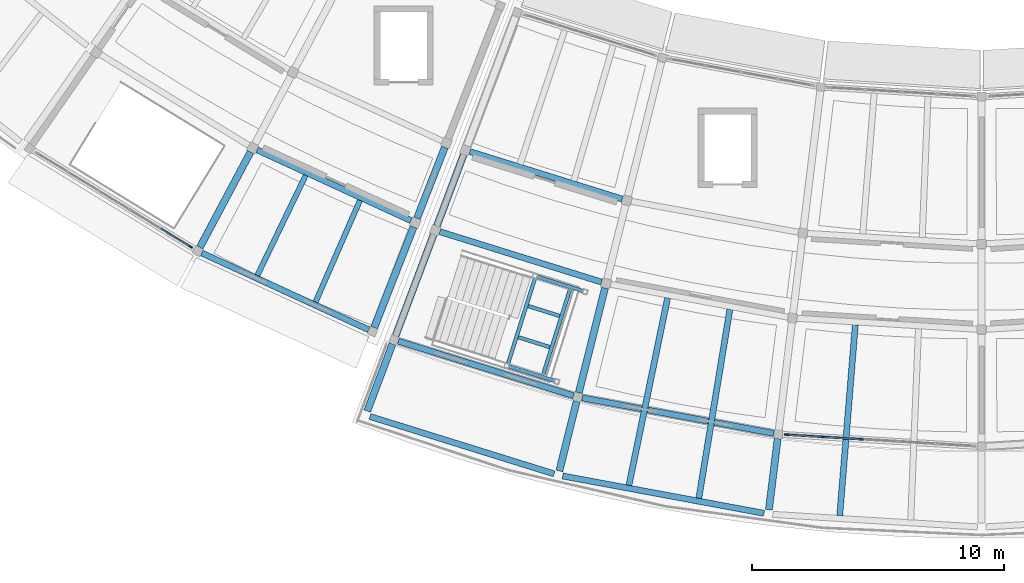
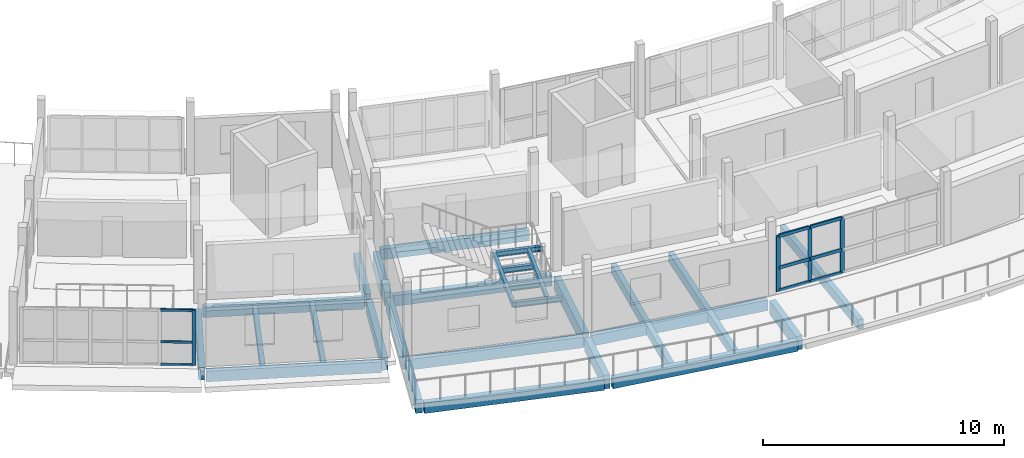
# One storey, part 7 of 24: 28 beams, 13 members, 2 elements without a shape of their own.
"""IFC4 building model written with IfcOpenShell, lengths in metres."""

from ifc_helpers import new_model, si_unit, direction, frame, origin, origin_2d, place, context, subcontext, project, spatial, rectangle, i_section, extrude, material, layer, layer_set, material_profile, profile_set, type_object, element, aggregate, save


model = new_model("IFC4")

# Units and contexts
model_context = context("Model", 3, precision=1e-05, world=origin(), true_north=direction((0.0, 1.0)))
body_context = subcontext(model_context, "Body", "Model", "MODEL_VIEW")
ifc_project = project(units=[si_unit("LENGTHUNIT", "METRE"), si_unit("AREAUNIT", "SQUARE_METRE"), si_unit("VOLUMEUNIT", "CUBIC_METRE"), si_unit("PLANEANGLEUNIT", "RADIAN"), si_unit("MASSUNIT", "GRAM", prefix="KILO")], contexts=[model_context])

# Site, building, storey
site_placement = place(None, origin())
site = spatial("IfcSite", under=ifc_project, at=site_placement, CompositionType="ELEMENT")
building_placement = place(site_placement, origin())
building = spatial("IfcBuilding", under=site, at=building_placement, Name="Caldaven Crescent School", CompositionType="ELEMENT")
storey_placement = place(building_placement, frame((0.0, 0.0, 15.639892578125)))
storey = spatial("IfcBuildingStorey", under=building, at=storey_placement, Name="L04", CompositionType="ELEMENT", Elevation=15.639892578125)

# Beams
ifc_material_1 = material(Name="Glulam MLE24h (GL28h)", Category="wood")
ifc_material_profile_1 = material_profile(ifc_material_1, rectangle(XDim=0.239990234375, YDim=0.5400390625, at=origin_2d()), Name="MLE 240x540")
ifc_profile_set_1 = profile_set([ifc_material_profile_1], Name="Glulam MLE24h (GL28h)")
beam_type_1 = type_object("IfcBeamType", Name="BM-GL54", PredefinedType="BEAM", material=ifc_profile_set_1)
beam_1_placement = place(storey_placement, frame((59.206298828125, 41.442626953125, -0.5), z_axis=(0.908536178151, -0.417806190703, 0.0), x_axis=(0.417806190703, 0.908536178151, 0.0)))
element("IfcBeam", 1, at=beam_1_placement, inside=storey, type_object=beam_type_1, Name="BMT-V4W-L04-1547", PredefinedType="BEAM", context=body_context, shape_type="SweptSolid", body=[
    extrude(rectangle(XDim=0.239990234375, YDim=0.5400390625, at=origin_2d()), origin(), (0.0, 0.0, 1.0), 6.729248046875),
])
beam_2_placement = place(storey_placement, frame((67.663818359375, 41.373291015625, -0.5), z_axis=(0.954742820955, -0.297432590405, 0.0), x_axis=(0.297432590405, 0.954742820955, 0.0)))
element("IfcBeam", 2, at=beam_2_placement, inside=storey, type_object=beam_type_1, Name="BMT-V5-L04-1580", PredefinedType="BEAM", context=body_context, shape_type="SweptSolid", body=[
    extrude(rectangle(XDim=0.239990234375, YDim=0.5400390625, at=origin_2d()), origin(), (0.0, 0.0, 1.0), 6.337646484375),
])
beam_3_placement = place(storey_placement, frame((66.46728515625, 38.190673828125, -0.5), z_axis=(0.954745566142, -0.297423778357, 0.0), x_axis=(0.297423778357, 0.954745566142, 0.0)))
element("IfcBeam", 3, at=beam_3_placement, inside=storey, type_object=beam_type_1, Name="BMT-V5-L04-1581", PredefinedType="BEAM", context=body_context, shape_type="SweptSolid", body=[
    extrude(rectangle(XDim=0.239990234375, YDim=0.5400390625, at=origin_2d()), origin(), (0.0, 0.0, 1.0), 6.729248046875),
])
beam_4_placement = place(storey_placement, frame((64.81640625, 33.842529296875, -0.5), z_axis=(0.954749339724, -0.297411664696, 0.0), x_axis=(0.297411664696, 0.954749339724, 0.0)))
element("IfcBeam", 4, at=beam_4_placement, inside=storey, type_object=beam_type_1, Name="BMT-V5-L04-1582", PredefinedType="BEAM", context=body_context, shape_type="SweptSolid", body=[
    extrude(rectangle(XDim=0.239990234375, YDim=0.5400390625, at=origin_2d()), origin(), (0.0, 0.0, 1.0), 7.295166015625),
])
beam_5_placement = place(storey_placement, frame((72.12060546875, 31.5888671875, -0.5), z_axis=(0.983259021491, -0.182213327332, 0.0), x_axis=(0.182213327332, 0.983259021491, 0.0)))
element("IfcBeam", 5, at=beam_5_placement, inside=storey, type_object=beam_type_1, Name="BMT-V5-L04-1589", PredefinedType="BEAM", context=body_context, shape_type="SweptSolid", body=[
    extrude(rectangle(XDim=0.239990234375, YDim=0.5400390625, at=origin_2d()), origin(), (0.0, 0.0, 1.0), 7.751220703125),
])
ifc_material_profile_2 = material_profile(ifc_material_1, rectangle(XDim=0.280029296875, YDim=0.6298828125, at=origin_2d()), Name="MLE 280x630")
ifc_profile_set_2 = profile_set([ifc_material_profile_2], Name="Glulam MLE24h (GL28h)")
beam_type_2 = type_object("IfcBeamType", Name="BM-GL63", PredefinedType="BEAM", material=ifc_profile_set_2)
beam_6_placement = place(storey_placement, frame((58.9443359375, 41.3544921875, -0.544921875), z_axis=(-0.469475957357, -0.88294525621, 0.0), x_axis=(0.88294525621, -0.469475957357, 0.0)))
element("IfcBeam", 6, at=beam_6_placement, inside=storey, type_object=beam_type_2, Name="BMR-V4W-L04-1527", PredefinedType="BEAM", context=body_context, shape_type="SweptSolid", body=[
    extrude(rectangle(XDim=0.280029296875, YDim=0.6298828125, at=origin_2d()), origin(), (0.0, 0.0, 1.0), 4.284912109375),
])
beam_7_placement = place(storey_placement, frame((66.66357421875, 41.54052734375, -0.544921875), z_axis=(-0.364746799564, -0.931106745872, 0.0), x_axis=(0.931106745872, -0.364746799564, 0.0)))
element("IfcBeam", 7, at=beam_7_placement, inside=storey, type_object=beam_type_2, Name="BMR-V4W-L04-1529", PredefinedType="BEAM", context=body_context, shape_type="SweptSolid", body=[
    extrude(rectangle(XDim=0.280029296875, YDim=0.6298828125, at=origin_2d()), origin(), (0.0, 0.0, 1.0), 3.02001953125),
])
beam_8_placement = place(storey_placement, frame((65.42333984375, 38.374755859375, -0.544921875), z_axis=(-0.364809625149, -0.931082132467, 0.0), x_axis=(0.931082132467, -0.364809625149, 0.0)))
element("IfcBeam", 8, at=beam_8_placement, inside=storey, type_object=beam_type_2, Name="BMR-V4W-L04-1530", PredefinedType="BEAM", context=body_context, shape_type="SweptSolid", body=[
    extrude(rectangle(XDim=0.280029296875, YDim=0.6298828125, at=origin_2d()), origin(), (0.0, 0.0, 1.0), 4.28515625),
])
ifc_material_profile_3 = material_profile(ifc_material_1, rectangle(XDim=0.280029296875, YDim=0.68994140625, at=origin_2d()), Name="MLE 280x690")
ifc_profile_set_3 = profile_set([ifc_material_profile_3], Name="Glulam MLE24h (GL28h)")
beam_type_3 = type_object("IfcBeamType", Name="BM-GL69", PredefinedType="BEAM", material=ifc_profile_set_3)
beam_9_placement = place(storey_placement, frame((67.41552734375, 41.251953125, -0.574951171875), z_axis=(-0.351894065748, -0.93603983168, 0.0), x_axis=(0.93603983168, -0.351894065748, 0.0)))
element("IfcBeam", 9, at=beam_9_placement, inside=storey, type_object=beam_type_3, Name="BMR-V5-L04-1552", PredefinedType="BEAM", context=body_context, shape_type="SweptSolid", body=[
    extrude(rectangle(XDim=0.280029296875, YDim=0.68994140625, at=origin_2d()), origin(), (0.0, 0.0, 1.0), 3.02001953125),
])
beam_10_placement = place(storey_placement, frame((66.218994140625, 38.0693359375, -0.574951171875), z_axis=(-0.351947522174, -0.936019733572, 0.0), x_axis=(0.936019733572, -0.351947522174, 0.0)))
element("IfcBeam", 10, at=beam_10_placement, inside=storey, type_object=beam_type_3, Name="BMR-V5-L04-1553", PredefinedType="BEAM", context=body_context, shape_type="SweptSolid", body=[
    extrude(rectangle(XDim=0.280029296875, YDim=0.68994140625, at=origin_2d()), origin(), (0.0, 0.0, 1.0), 4.284912109375),
])
beam_11_placement = place(storey_placement, frame((64.587646484375, 33.73095703125, -0.574951171875), z_axis=(-0.351902498826, -0.936036661312, 0.0), x_axis=(0.936036661312, -0.351902498826, 0.0)))
element("IfcBeam", 11, at=beam_11_placement, inside=storey, type_object=beam_type_3, Name="BMR-V5-L04-1554", PredefinedType="BEAM", context=body_context, shape_type="SweptSolid", body=[
    extrude(rectangle(XDim=0.280029296875, YDim=0.68994140625, at=origin_2d()), origin(), (0.0, 0.0, 1.0), 2.85009765625),
])
beam_12_placement = place(storey_placement, frame((73.02734375, 35.948486328125, -0.574951171875), z_axis=(-0.24191889768, -0.970296473736, 0.0), x_axis=(0.970296473736, -0.24191889768, 0.0)))
element("IfcBeam", 12, at=beam_12_placement, inside=storey, type_object=beam_type_3, Name="BMR-V5-L04-1557", PredefinedType="BEAM", context=body_context, shape_type="SweptSolid", body=[
    extrude(rectangle(XDim=0.280029296875, YDim=0.68994140625, at=origin_2d()), origin(), (0.0, 0.0, 1.0), 4.284912109375),
])
for number, where, z_axis, x_axis, name in (
    (13, (71.90625, 31.451171875, -0.574951171875), (-0.241991389687, -0.97027839681, 0.0), (0.97027839681, -0.241991389687, 0.0), "BMR-V5-L04-1558"),
    (14, (79.892578125, 29.970947265625, -0.574951171875), (-0.121809873861, -0.992553451775, 0.0), (0.992553451775, -0.121809873861, 0.0), "BMR-V5-L04-1562"),
):
    element("IfcBeam", number, at=place(storey_placement, frame(where, z_axis=z_axis, x_axis=x_axis)), inside=storey, type_object=beam_type_3, Name=name, PredefinedType="BEAM", context=body_context, shape_type="SweptSolid", body=[
        extrude(rectangle(XDim=0.280029296875, YDim=0.68994140625, at=origin_2d()), origin(), (0.0, 0.0, 1.0), 2.85009765625),
    ])
ifc_material_2 = material(Name="Steel ASTM A572 Grade 50", Category="steel")
ifc_material_profile_4 = material_profile(ifc_material_2, i_section(OverallWidth=0.14599609375, OverallDepth=0.258056640625, WebThickness=0.006103515625, FlangeThickness=0.009033203125, FilletRadius=0.011962890625, at=origin_2d()), Name="W250x33")
ifc_profile_set_4 = profile_set([ifc_material_profile_4], Name="Steel ASTM A572 Grade 50")
beam_type_4 = type_object("IfcBeamType", Name="BM-W25", PredefinedType="BEAM", material=ifc_profile_set_4)
beam_13_placement = place(storey_placement, frame((69.12109375, 32.864990234375, 1.546142578125), z_axis=(0.95369733951, -0.300767991334, 0.0), x_axis=(0.300767991334, 0.95369733951, 0.0)))
element("IfcBeam", 15, at=beam_13_placement, inside=storey, type_object=beam_type_4, Name="BM-STSIDE-ST2-L04-SL", PredefinedType="BEAM", context=body_context, shape_type="SweptSolid", body=[
    extrude(i_section(OverallWidth=0.14599609375, OverallDepth=0.258056640625, WebThickness=0.006103515625, FlangeThickness=0.009033203125, FilletRadius=0.011962890625, at=origin_2d()), origin(), (0.0, 0.0, 1.0), 2.090087890625),
])
beam_14_placement = place(storey_placement, frame((70.245849609375, 36.431884765625, 1.546142578125), z_axis=(0.953686771574, -0.300801498874, 0.0), x_axis=(0.300801498874, 0.953686771574, 0.0)))
element("IfcBeam", 16, at=beam_14_placement, inside=storey, type_object=beam_type_4, Name="BM-STSIDE-ST2-L04-SR", PredefinedType="BEAM", context=body_context, shape_type="SweptSolid", body=[
    extrude(i_section(OverallWidth=0.14599609375, OverallDepth=0.258056640625, WebThickness=0.006103515625, FlangeThickness=0.009033203125, FilletRadius=0.011962890625, at=origin_2d()), origin(), (0.0, 0.0, 1.0), 2.08984375),
])
for number, where, z_axis, x_axis, name in (
    (17, (69.149658203125, 32.85595703125, 1.546142578125), (0.300734578137, 0.953707876403, 0.0), (-0.953707876403, 0.300734578137, 0.0), "BM-STLND-ST2-L04-IN"),
    (18, (70.542236328125, 32.416748046875, 1.546142578125), (0.300675202446, 0.953726597424, 0.0), (-0.953726597424, 0.300675202446, 0.0), "BM-STLND-ST2-L04-OUT"),
):
    element("IfcBeam", number, at=place(storey_placement, frame(where, z_axis=z_axis, x_axis=x_axis)), inside=storey, type_object=beam_type_4, Name=name, PredefinedType="BEAM", context=body_context, shape_type="SweptSolid", body=[
        extrude(i_section(OverallWidth=0.14599609375, OverallDepth=0.258056640625, WebThickness=0.006103515625, FlangeThickness=0.009033203125, FilletRadius=0.011962890625, at=origin_2d()), origin(), (0.0, 0.0, 1.0), 3.739990234375),
    ])

# Curtain wall, member
ifc_material_3 = material(Name="Anodised aluminium AA 6063-T6 and low-E double glazing", Category="aluminium")
ifc_layer = layer(ifc_material_3, 0.2099609375)
ifc_layer_set = layer_set([ifc_layer], Name="Anodised aluminium AA 6063-T6 and low-E double glazing")
curtain_wall_type = type_object("IfcCurtainWallType", Name="CW-SYS3", PredefinedType="NOTDEFINED", material=ifc_layer_set)
curtain_wall_1_placement = place(storey_placement, origin())
curtain_wall_1 = element("IfcCurtainWall", 19, at=curtain_wall_1_placement, inside=storey, type_object=curtain_wall_type, Name="CW-L04-168", PredefinedType="NOTDEFINED")
ifc_material_4 = material(Name="Anodised aluminium AA 6063-T6", Category="aluminium")
ifc_material_profile_5 = material_profile(ifc_material_4, rectangle(XDim=0.06005859375, YDim=0.14990234375, at=origin_2d()), Name="CWM 60x150")
ifc_profile_set_5 = profile_set([ifc_material_profile_5], Name="Anodised aluminium AA 6063-T6")
member_type_1 = type_object("IfcMemberType", Name="CWM-T1", PredefinedType="MULLION", material=ifc_profile_set_5)
member_1_placement = place(storey_placement, frame((56.56884765625, 37.58837890625, 0.0), z_axis=(0.0, 0.0, 1.0), x_axis=(0.520750472041, 0.8537089351, 0.0)))
member_1 = element("IfcMember", 20, at=member_1_placement, type_object=member_type_1, Name="CW3 mullion 6", PredefinedType="MULLION", context=body_context, shape_type="SweptSolid", body=[
    extrude(rectangle(XDim=0.06005859375, YDim=0.14990234375, at=origin_2d()), origin(), (0.0, 0.0, 1.0), 2.820068359375),
])

# Curtain wall, members
curtain_wall_2_placement = place(storey_placement, origin())
curtain_wall_2 = element("IfcCurtainWall", 21, at=curtain_wall_2_placement, inside=storey, type_object=curtain_wall_type, Name="CW-L04-172", PredefinedType="NOTDEFINED")
ifc_material_profile_6 = material_profile(ifc_material_4, rectangle(XDim=0.06494140625, YDim=0.179931640625, at=origin_2d()), Name="CWM 65x180")
ifc_profile_set_6 = profile_set([ifc_material_profile_6], Name="Anodised aluminium AA 6063-T6")
member_type_2 = type_object("IfcMemberType", Name="CWM-T2", PredefinedType="MULLION", material=ifc_profile_set_6)
member_2_placement = place(storey_placement, frame((80.245849609375, 30.124267578125, 0.0), z_axis=(0.0, 0.0, 1.0), x_axis=(0.061049374755, 0.998134747337, 0.0)))
member_2 = element("IfcMember", 22, at=member_2_placement, type_object=member_type_2, Name="CW3 mullion 1", PredefinedType="MULLION", context=body_context, shape_type="SweptSolid", body=[
    extrude(rectangle(XDim=0.06494140625, YDim=0.179931640625, at=origin_2d()), origin(), (0.0, 0.0, 1.0), 2.820068359375),
])
member_3_placement = place(storey_placement, frame((81.7109375, 30.03466796875, 0.0), z_axis=(0.0, 0.0, 1.0), x_axis=(0.061049374755, 0.998134747337, 0.0)))
member_3 = element("IfcMember", 23, at=member_3_placement, type_object=member_type_2, Name="CW3 mullion 2", PredefinedType="MULLION", context=body_context, shape_type="SweptSolid", body=[
    extrude(rectangle(XDim=0.06494140625, YDim=0.179931640625, at=origin_2d()), origin(), (0.0, 0.0, 1.0), 2.820068359375),
])
member_4_placement = place(storey_placement, frame((83.208251953125, 29.943115234375, 0.0), z_axis=(0.0, 0.0, 1.0), x_axis=(0.061049374755, 0.998134747337, 0.0)))
member_4 = element("IfcMember", 24, at=member_4_placement, type_object=member_type_2, Name="CW3 mullion 3", PredefinedType="MULLION", context=body_context, shape_type="SweptSolid", body=[
    extrude(rectangle(XDim=0.06494140625, YDim=0.179931640625, at=origin_2d()), origin(), (0.0, 0.0, 1.0), 2.820068359375),
])

# Member
ifc_material_profile_7 = material_profile(ifc_material_4, rectangle(XDim=0.06005859375, YDim=0.1201171875, at=origin_2d()), Name="CWT 60x120")
ifc_profile_set_7 = profile_set([ifc_material_profile_7], Name="Anodised aluminium AA 6063-T6")
member_type_3 = type_object("IfcMemberType", Name="CWT-T1", PredefinedType="USERDEFINED", material=ifc_profile_set_7)
member_5_placement = place(storey_placement, frame((55.3857421875, 38.31005859375, 0.030029296875), z_axis=(0.853704410409, -0.520757889665, 0.0), x_axis=(0.520757889665, 0.853704410409, 0.0)))
member_5 = element("IfcMember", 25, at=member_5_placement, type_object=member_type_3, Name="CW3 transom 5.1", ObjectType="TRANSOM", PredefinedType="USERDEFINED", context=body_context, shape_type="SweptSolid", body=[
    extrude(rectangle(XDim=0.06005859375, YDim=0.1201171875, at=origin_2d()), origin(), (0.0, 0.0, 1.0), 1.355712890625),
])

member_6_placement = place(storey_placement, frame((55.3857421875, 38.31005859375, 1.18408203125), z_axis=(0.853704410409, -0.520757889665, 0.0), x_axis=(0.520757889665, 0.853704410409, 0.0)))
member_6 = element("IfcMember", 26, at=member_6_placement, type_object=member_type_3, Name="CW3 transom 5.2", ObjectType="TRANSOM", PredefinedType="USERDEFINED", context=body_context, shape_type="SweptSolid", body=[
    extrude(rectangle(XDim=0.06005859375, YDim=0.1201171875, at=origin_2d()), origin(), (0.0, 0.0, 1.0), 1.355712890625),
])

member_7_placement = place(storey_placement, frame((55.3857421875, 38.31005859375, 2.7900390625), z_axis=(0.853704410409, -0.520757889665, 0.0), x_axis=(0.520757889665, 0.853704410409, 0.0)))
member_7 = element("IfcMember", 27, at=member_7_placement, type_object=member_type_3, Name="CW3 transom 5.3", ObjectType="TRANSOM", PredefinedType="USERDEFINED", context=body_context, shape_type="SweptSolid", body=[
    extrude(rectangle(XDim=0.06005859375, YDim=0.1201171875, at=origin_2d()), origin(), (0.0, 0.0, 1.0), 1.355712890625),
])

aggregate(curtain_wall_1, [member_1, member_5, member_6, member_7])

ifc_material_profile_8 = material_profile(ifc_material_4, rectangle(XDim=0.070068359375, YDim=0.159912109375, at=origin_2d()), Name="CWT 70x160")
ifc_profile_set_8 = profile_set([ifc_material_profile_8], Name="Anodised aluminium AA 6063-T6")
member_type_4 = type_object("IfcMemberType", Name="CWT-T3", PredefinedType="USERDEFINED", material=ifc_profile_set_8)
member_8_placement = place(storey_placement, frame((80.2783203125, 30.122314453125, 0.03515625), z_axis=(0.99813233324, -0.061088831555, 0.0), x_axis=(0.061088831555, 0.99813233324, 0.0)))
member_8 = element("IfcMember", 28, at=member_8_placement, type_object=member_type_4, Name="CW3 transom 1.1", ObjectType="TRANSOM", PredefinedType="USERDEFINED", context=body_context, shape_type="SweptSolid", body=[
    extrude(rectangle(XDim=0.070068359375, YDim=0.159912109375, at=origin_2d()), origin(), (0.0, 0.0, 1.0), 1.40283203125),
])

member_9_placement = place(storey_placement, frame((80.2783203125, 30.122314453125, 1.18408203125), z_axis=(0.99813233324, -0.061088831555, 0.0), x_axis=(0.061088831555, 0.99813233324, 0.0)))
member_9 = element("IfcMember", 29, at=member_9_placement, type_object=member_type_4, Name="CW3 transom 1.2", ObjectType="TRANSOM", PredefinedType="USERDEFINED", context=body_context, shape_type="SweptSolid", body=[
    extrude(rectangle(XDim=0.070068359375, YDim=0.159912109375, at=origin_2d()), origin(), (0.0, 0.0, 1.0), 1.40283203125),
])

member_10_placement = place(storey_placement, frame((80.2783203125, 30.122314453125, 2.78515625), z_axis=(0.99813233324, -0.061088831555, 0.0), x_axis=(0.061088831555, 0.99813233324, 0.0)))
member_10 = element("IfcMember", 30, at=member_10_placement, type_object=member_type_4, Name="CW3 transom 1.3", ObjectType="TRANSOM", PredefinedType="USERDEFINED", context=body_context, shape_type="SweptSolid", body=[
    extrude(rectangle(XDim=0.070068359375, YDim=0.159912109375, at=origin_2d()), origin(), (0.0, 0.0, 1.0), 1.40283203125),
])

member_11_placement = place(storey_placement, frame((81.7431640625, 30.03271484375, 0.03515625), z_axis=(0.998133785172, -0.061065103762, 0.0), x_axis=(0.061065103762, 0.998133785172, 0.0)))
member_11 = element("IfcMember", 31, at=member_11_placement, type_object=member_type_4, Name="CW3 transom 2.1", ObjectType="TRANSOM", PredefinedType="USERDEFINED", context=body_context, shape_type="SweptSolid", body=[
    extrude(rectangle(XDim=0.070068359375, YDim=0.159912109375, at=origin_2d()), origin(), (0.0, 0.0, 1.0), 1.435302734375),
])

member_12_placement = place(storey_placement, frame((81.7431640625, 30.03271484375, 1.18408203125), z_axis=(0.998133785172, -0.061065103762, 0.0), x_axis=(0.061065103762, 0.998133785172, 0.0)))
member_12 = element("IfcMember", 32, at=member_12_placement, type_object=member_type_4, Name="CW3 transom 2.2", ObjectType="TRANSOM", PredefinedType="USERDEFINED", context=body_context, shape_type="SweptSolid", body=[
    extrude(rectangle(XDim=0.070068359375, YDim=0.159912109375, at=origin_2d()), origin(), (0.0, 0.0, 1.0), 1.435302734375),
])

member_13_placement = place(storey_placement, frame((81.7431640625, 30.03271484375, 2.78515625), z_axis=(0.998133785172, -0.061065103762, 0.0), x_axis=(0.061065103762, 0.998133785172, 0.0)))
member_13 = element("IfcMember", 33, at=member_13_placement, type_object=member_type_4, Name="CW3 transom 2.3", ObjectType="TRANSOM", PredefinedType="USERDEFINED", context=body_context, shape_type="SweptSolid", body=[
    extrude(rectangle(XDim=0.070068359375, YDim=0.159912109375, at=origin_2d()), origin(), (0.0, 0.0, 1.0), 1.435302734375),
])

aggregate(curtain_wall_2, [member_2, member_3, member_4, member_8, member_9, member_10, member_11, member_12, member_13])

# Beams
ifc_material_profile_9 = material_profile(ifc_material_1, rectangle(XDim=0.2099609375, YDim=0.419921875, at=origin_2d()), Name="MLE 210x420")
ifc_profile_set_9 = profile_set([ifc_material_profile_9], Name="Glulam MLE24h (GL28h)")
beam_type_5 = type_object("IfcBeamType", Name="JS-GL42", PredefinedType="JOIST", material=ifc_profile_set_9)
beam_15_placement = place(storey_placement, frame((61.136474609375, 40.428466796875, -0.43994140625), z_axis=(-0.435202293191, -0.900332696286, 0.0), x_axis=(0.900332696286, -0.435202293191, 0.0)))
element("IfcBeam", 34, at=beam_15_placement, inside=storey, type_object=beam_type_5, Name="JSR-V4W-L04-1549", PredefinedType="JOIST", context=body_context, shape_type="SweptSolid", body=[
    extrude(rectangle(XDim=0.2099609375, YDim=0.419921875, at=origin_2d()), origin(), (0.0, 0.0, 1.0), 4.413330078125),
])
beam_16_placement = place(storey_placement, frame((63.293701171875, 39.4365234375, -0.43994140625), z_axis=(-0.400299300813, -0.91638445522, 0.0), x_axis=(0.91638445522, -0.400299300813, 0.0)))
element("IfcBeam", 35, at=beam_16_placement, inside=storey, type_object=beam_type_5, Name="JSR-V4W-L04-1550", PredefinedType="JOIST", context=body_context, shape_type="SweptSolid", body=[
    extrude(rectangle(XDim=0.2099609375, YDim=0.419921875, at=origin_2d()), origin(), (0.0, 0.0, 1.0), 4.4130859375),
])
ifc_material_profile_10 = material_profile(ifc_material_1, rectangle(XDim=0.239990234375, YDim=0.47998046875, at=origin_2d()), Name="MLE 240x480")
ifc_profile_set_10 = profile_set([ifc_material_profile_10], Name="Glulam MLE24h (GL28h)")
beam_type_6 = type_object("IfcBeamType", Name="JS-GL48", PredefinedType="JOIST", material=ifc_profile_set_10)
for number, where, z_axis, x_axis, name in (
    (36, (75.519287109375, 35.5625, -0.469970703125), (-0.202259614747, -0.979331939764, 0.0), (0.979331939764, -0.202259614747, 0.0), "JSR-V5-L04-1591"),
    (37, (77.992919921875, 35.10400390625, -0.469970703125), (-0.162139819629, -0.986767793805, 0.0), (0.986767793805, -0.162139819629, 0.0), "JSR-V5-L04-1592"),
    (38, (82.977783203125, 34.491943359375, -0.469970703125), (-0.081390637837, -0.996682278398, 0.0), (0.996682278398, -0.081390637837, 0.0), "JSR-V5-L04-1599"),
):
    element("IfcBeam", number, at=place(storey_placement, frame(where, z_axis=z_axis, x_axis=x_axis)), inside=storey, type_object=beam_type_6, Name=name, PredefinedType="JOIST", context=body_context, shape_type="SweptSolid", body=[
        extrude(rectangle(XDim=0.239990234375, YDim=0.47998046875, at=origin_2d()), origin(), (0.0, 0.0, 1.0), 7.60693359375),
    ])
ifc_material_profile_11 = material_profile(ifc_material_2, i_section(OverallWidth=0.14599609375, OverallDepth=0.258056640625, WebThickness=0.006103515625, FlangeThickness=0.009033203125, FilletRadius=0.011962890625, at=origin_2d()), Name="W250x33")
ifc_profile_set_11 = profile_set([ifc_material_profile_11], Name="Steel ASTM A572 Grade 50")
beam_type_7 = type_object("IfcBeamType", Name="LN-W25", PredefinedType="LINTEL", material=ifc_profile_set_11)
for number, where, z_axis, x_axis, name in (
    (39, (69.593017578125, 33.995361328125, 1.546142578125), (0.953721650171, -0.300690894432, 0.0), (0.300690894432, 0.953721650171, 0.0), "BM-STJST-ST2-L04-JL"),
    (40, (69.98388671875, 35.235107421875, 1.546142578125), (0.953721650171, -0.300690894432, 0.0), (0.300690894432, 0.953721650171, 0.0), "BM-STJST-ST2-L04-JR"),
):
    element("IfcBeam", number, at=place(storey_placement, frame(where, z_axis=z_axis, x_axis=x_axis)), inside=storey, type_object=beam_type_7, Name=name, PredefinedType="LINTEL", context=body_context, shape_type="SweptSolid", body=[
        extrude(i_section(OverallWidth=0.14599609375, OverallDepth=0.258056640625, WebThickness=0.006103515625, FlangeThickness=0.009033203125, FilletRadius=0.011962890625, at=origin_2d()), origin(), (0.0, 0.0, 1.0), 1.2998046875),
    ])
ifc_material_profile_12 = material_profile(ifc_material_1, rectangle(XDim=0.239990234375, YDim=0.5400390625, at=origin_2d()), Name="MLE 240x540")
ifc_profile_set_12 = profile_set([ifc_material_profile_12], Name="Glulam MLE24h (GL28h)")
beam_type_8 = type_object("IfcBeamType", Name="SP-GL54", PredefinedType="SPANDREL", material=ifc_profile_set_12)
beam_17_placement = place(storey_placement, frame((57.009521484375, 37.34326171875, -0.5), z_axis=(0.90852958236, -0.417820533216, 0.0), x_axis=(0.417820533216, 0.90852958236, 0.0)))
element("IfcBeam", 41, at=beam_17_placement, inside=storey, type_object=beam_type_8, Name="BMT-V4W-L04-1548", PredefinedType="SPANDREL", context=body_context, shape_type="SweptSolid", body=[
    extrude(rectangle(XDim=0.239990234375, YDim=0.5400390625, at=origin_2d()), origin(), (0.0, 0.0, 1.0), 7.295166015625),
])
beam_18_placement = place(storey_placement, frame((63.690185546875, 30.847412109375, -0.5), z_axis=(0.954742048255, -0.29743507072, 0.0), x_axis=(0.29743507072, 0.954742048255, 0.0)))
element("IfcBeam", 42, at=beam_18_placement, inside=storey, type_object=beam_type_8, Name="BMT-V5-L04-1583", PredefinedType="SPANDREL", context=body_context, shape_type="SweptSolid", body=[
    extrude(rectangle(XDim=0.239990234375, YDim=0.5400390625, at=origin_2d()), origin(), (0.0, 0.0, 1.0), 7.6640625),
])
beam_19_placement = place(storey_placement, frame((71.346435546875, 28.484130859375, -0.5), z_axis=(0.9832509704, -0.182256767249, 0.0), x_axis=(0.182256767249, 0.9832509704, 0.0)))
element("IfcBeam", 43, at=beam_19_placement, inside=storey, type_object=beam_type_8, Name="BMT-V5-L04-1590", PredefinedType="SPANDREL", context=body_context, shape_type="SweptSolid", body=[
    extrude(rectangle(XDim=0.239990234375, YDim=0.5400390625, at=origin_2d()), origin(), (0.0, 0.0, 1.0), 8.141845703125),
])

save(model, "model.ifc")
